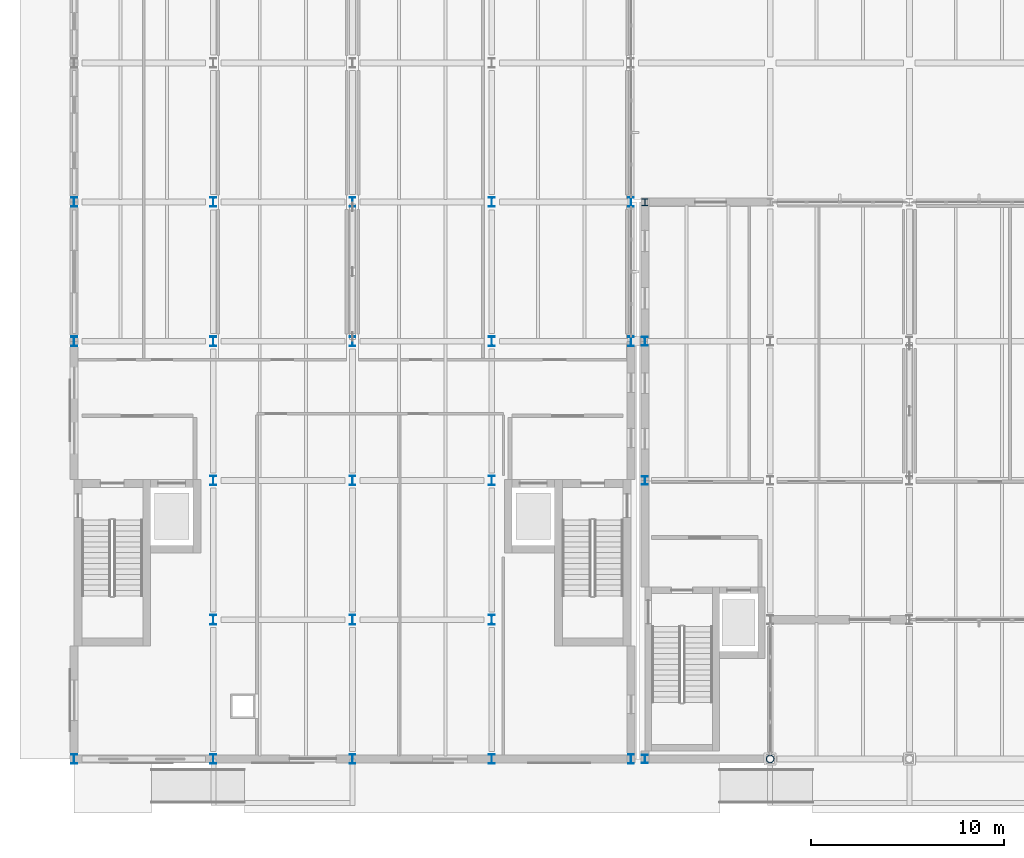
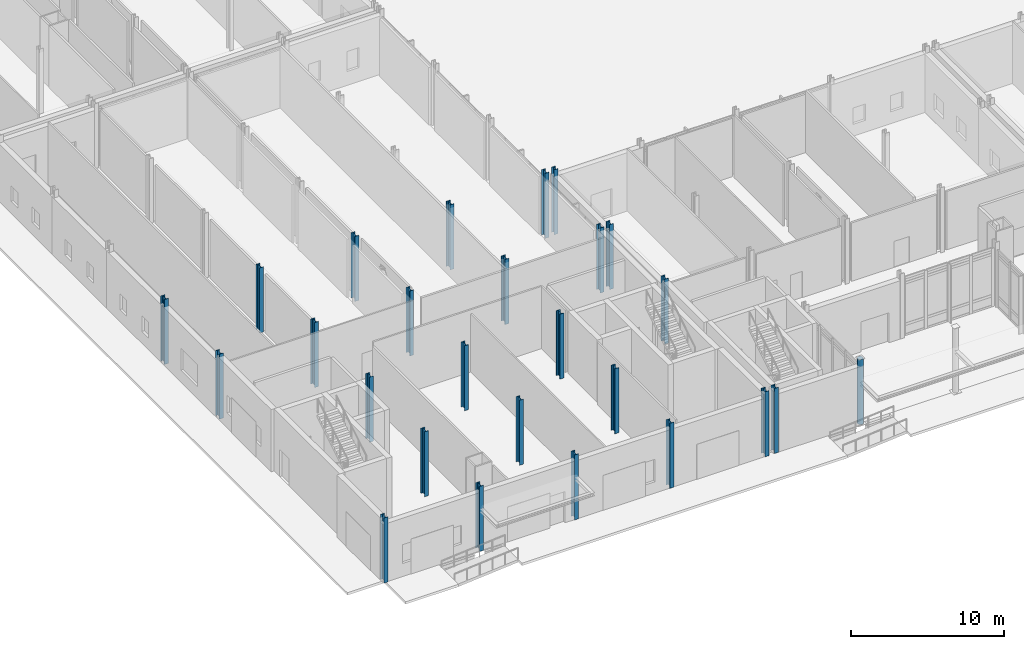
# One storey, part 1 of 89: 26 columns.
"""IFC4 building model written with IfcOpenShell, lengths in metres."""

from ifc_helpers import new_model, si_unit, direction, frame, origin, origin_2d, place, context, subcontext, project, spatial, hollow_circle, i_section, extrude, material, material_profile, profile_set, type_object, element, save


model = new_model("IFC4")

# Units and contexts
model_context = context("Model", 3, precision=1e-05, world=origin(), true_north=direction((0.0, 1.0)))
body_context = subcontext(model_context, "Body", "Model", "MODEL_VIEW")
ifc_project = project(units=[si_unit("LENGTHUNIT", "METRE"), si_unit("AREAUNIT", "SQUARE_METRE"), si_unit("VOLUMEUNIT", "CUBIC_METRE"), si_unit("PLANEANGLEUNIT", "RADIAN"), si_unit("MASSUNIT", "GRAM", prefix="KILO")], contexts=[model_context])

# Site, building, storey
site_placement = place(None, origin())
site = spatial("IfcSite", under=ifc_project, at=site_placement, CompositionType="ELEMENT")
building_placement = place(site_placement, origin())
building = spatial("IfcBuilding", under=site, at=building_placement, Name="Zarrinpeak Specialist Clinic", CompositionType="ELEMENT")
storey_placement = place(building_placement, origin())
storey = spatial("IfcBuildingStorey", under=building, at=storey_placement, Name="L00", CompositionType="ELEMENT", Elevation=0.0)

# Columns
ifc_material = material(Name="Steel S355", Category="steel")
ifc_material_profile_1 = material_profile(ifc_material, hollow_circle(Radius=0.203125, WallThickness=0.01611328125, at=origin_2d()), Name="CHS 406.4x16.0")
ifc_profile_set_1 = profile_set([ifc_material_profile_1], Name="Steel S355")
column_type_1 = type_object("IfcColumnType", Name="COL-CHS406", PredefinedType="COLUMN", material=ifc_profile_set_1)
column_1_placement = place(storey_placement, frame((36.0, 0.0, 0.0), z_axis=(0.0, 0.0, 1.0), x_axis=(1.0, 0.0, 0.0)))
element("IfcColumn", 1, at=column_1_placement, inside=storey, type_object=column_type_1, Name="L00 Structural Column COL-L00-069", PredefinedType="COLUMN", context=body_context, shape_type="SweptSolid", body=[
    extrude(hollow_circle(Radius=0.203125, WallThickness=0.01611328125, at=origin_2d()), origin(), (0.0, 0.0, 1.0), 5.199951171875),
])
ifc_material_profile_2 = material_profile(ifc_material, i_section(OverallWidth=0.300048828125, OverallDepth=0.360107421875, WebThickness=0.012451171875, FlangeThickness=0.0224609375, FilletRadius=0.027099609375, at=origin_2d()), Name="HEB 360")
ifc_profile_set_2 = profile_set([ifc_material_profile_2], Name="Steel S355")
column_type_2 = type_object("IfcColumnType", Name="COL-HEB360", PredefinedType="COLUMN", material=ifc_profile_set_2)
column_2_placement = place(storey_placement, frame((29.52001953125, 28.800048828125, 0.0), z_axis=(0.0, 0.0, 1.0), x_axis=(1.0, 0.0, 0.0)))
element("IfcColumn", 2, at=column_2_placement, inside=storey, type_object=column_type_2, Name="L00 Structural Column COL-L00-068", PredefinedType="COLUMN", context=body_context, shape_type="SweptSolid", body=[
    extrude(i_section(OverallWidth=0.300048828125, OverallDepth=0.360107421875, WebThickness=0.012451171875, FlangeThickness=0.0224609375, FilletRadius=0.027099609375, at=origin_2d()), origin(), (0.0, 0.0, 1.0), 5.199951171875),
])
ifc_material_profile_3 = material_profile(ifc_material, i_section(OverallWidth=0.300048828125, OverallDepth=0.449951171875, WebThickness=0.013916015625, FlangeThickness=0.02587890625, FilletRadius=0.027099609375, at=origin_2d()), Name="HEB 450")
ifc_profile_set_3 = profile_set([ifc_material_profile_3], Name="Steel S355")
column_type_3 = type_object("IfcColumnType", Name="COL-HEB450", PredefinedType="COLUMN", material=ifc_profile_set_3)
for number, where, z_axis, x_axis, name in (
    (3, (29.52001953125, 0.0, 0.0), (0.0, 0.0, 1.0), (1.0, 0.0, 0.0), "L00 Structural Column COL-L00-065"),
    (4, (29.52001953125, 14.39990234375, 0.0), (0.0, 0.0, 1.0), (1.0, 0.0, 0.0), "L00 Structural Column COL-L00-066"),
    (5, (29.52001953125, 21.60009765625, 0.0), (0.0, 0.0, 1.0), (1.0, 0.0, 0.0), "L00 Structural Column COL-L00-067"),
):
    element("IfcColumn", number, at=place(storey_placement, frame(where, z_axis=z_axis, x_axis=x_axis)), inside=storey, type_object=column_type_3, Name=name, PredefinedType="COLUMN", context=body_context, shape_type="SweptSolid", body=[
        extrude(i_section(OverallWidth=0.300048828125, OverallDepth=0.449951171875, WebThickness=0.013916015625, FlangeThickness=0.02587890625, FilletRadius=0.027099609375, at=origin_2d()), origin(), (0.0, 0.0, 1.0), 5.199951171875),
    ])
ifc_material_profile_4 = material_profile(ifc_material, i_section(OverallWidth=0.300048828125, OverallDepth=0.5, WebThickness=0.014404296875, FlangeThickness=0.028076171875, FilletRadius=0.027099609375, at=origin_2d()), Name="HEB 500")
ifc_profile_set_4 = profile_set([ifc_material_profile_4], Name="Steel S355")
column_type_4 = type_object("IfcColumnType", Name="COL-HEB500", PredefinedType="COLUMN", material=ifc_profile_set_4)
for number, where, z_axis, x_axis, name in (
    (6, (0.0, 0.0, 0.0), (0.0, 0.0, 1.0), (1.0, 0.0, 0.0), "L00 Structural Column COL-L00-001"),
    (7, (0.0, 21.60009765625, 0.0), (0.0, 0.0, 1.0), (1.0, 0.0, 0.0), "L00 Structural Column COL-L00-002"),
    (8, (0.0, 28.800048828125, 0.0), (0.0, 0.0, 1.0), (1.0, 0.0, 0.0), "L00 Structural Column COL-L00-003"),
    (9, (7.199951171875, 0.0, 0.0), (0.0, 0.0, 1.0), (1.0, 0.0, 0.0), "L00 Structural Column COL-L00-012"),
    (10, (7.199951171875, 7.199951171875, 0.0), (0.0, 0.0, 1.0), (1.0, 0.0, 0.0), "L00 Structural Column COL-L00-013"),
    (11, (7.199951171875, 14.39990234375, 0.0), (0.0, 0.0, 1.0), (1.0, 0.0, 0.0), "L00 Structural Column COL-L00-014"),
    (12, (7.199951171875, 21.60009765625, 0.0), (0.0, 0.0, 1.0), (1.0, 0.0, 0.0), "L00 Structural Column COL-L00-015"),
    (13, (7.199951171875, 28.800048828125, 0.0), (0.0, 0.0, 1.0), (1.0, 0.0, 0.0), "L00 Structural Column COL-L00-016"),
    (14, (14.39990234375, 0.0, 0.0), (0.0, 0.0, 1.0), (1.0, 0.0, 0.0), "L00 Structural Column COL-L00-026"),
    (15, (14.39990234375, 7.199951171875, 0.0), (0.0, 0.0, 1.0), (1.0, 0.0, 0.0), "L00 Structural Column COL-L00-027"),
    (16, (14.39990234375, 14.39990234375, 0.0), (0.0, 0.0, 1.0), (1.0, 0.0, 0.0), "L00 Structural Column COL-L00-028"),
    (17, (14.39990234375, 21.60009765625, 0.0), (0.0, 0.0, 1.0), (1.0, 0.0, 0.0), "L00 Structural Column COL-L00-029"),
    (18, (14.39990234375, 28.800048828125, 0.0), (0.0, 0.0, 1.0), (1.0, 0.0, 0.0), "L00 Structural Column COL-L00-030"),
    (19, (21.60009765625, 0.0, 0.0), (0.0, 0.0, 1.0), (1.0, 0.0, 0.0), "L00 Structural Column COL-L00-040"),
    (20, (21.60009765625, 7.199951171875, 0.0), (0.0, 0.0, 1.0), (1.0, 0.0, 0.0), "L00 Structural Column COL-L00-041"),
    (21, (21.60009765625, 14.39990234375, 0.0), (0.0, 0.0, 1.0), (1.0, 0.0, 0.0), "L00 Structural Column COL-L00-042"),
    (22, (21.60009765625, 21.60009765625, 0.0), (0.0, 0.0, 1.0), (1.0, 0.0, 0.0), "L00 Structural Column COL-L00-043"),
    (23, (21.60009765625, 28.800048828125, 0.0), (0.0, 0.0, 1.0), (1.0, 0.0, 0.0), "L00 Structural Column COL-L00-044"),
    (24, (28.800048828125, 0.0, 0.0), (0.0, 0.0, 1.0), (1.0, 0.0, 0.0), "L00 Structural Column COL-L00-054"),
    (25, (28.800048828125, 21.60009765625, 0.0), (0.0, 0.0, 1.0), (1.0, 0.0, 0.0), "L00 Structural Column COL-L00-055"),
    (26, (28.800048828125, 28.800048828125, 0.0), (0.0, 0.0, 1.0), (1.0, 0.0, 0.0), "L00 Structural Column COL-L00-056"),
):
    element("IfcColumn", number, at=place(storey_placement, frame(where, z_axis=z_axis, x_axis=x_axis)), inside=storey, type_object=column_type_4, Name=name, PredefinedType="COLUMN", context=body_context, shape_type="SweptSolid", body=[
        extrude(i_section(OverallWidth=0.300048828125, OverallDepth=0.5, WebThickness=0.014404296875, FlangeThickness=0.028076171875, FilletRadius=0.027099609375, at=origin_2d()), origin(), (0.0, 0.0, 1.0), 5.199951171875),
    ])

save(model, "model.ifc")
